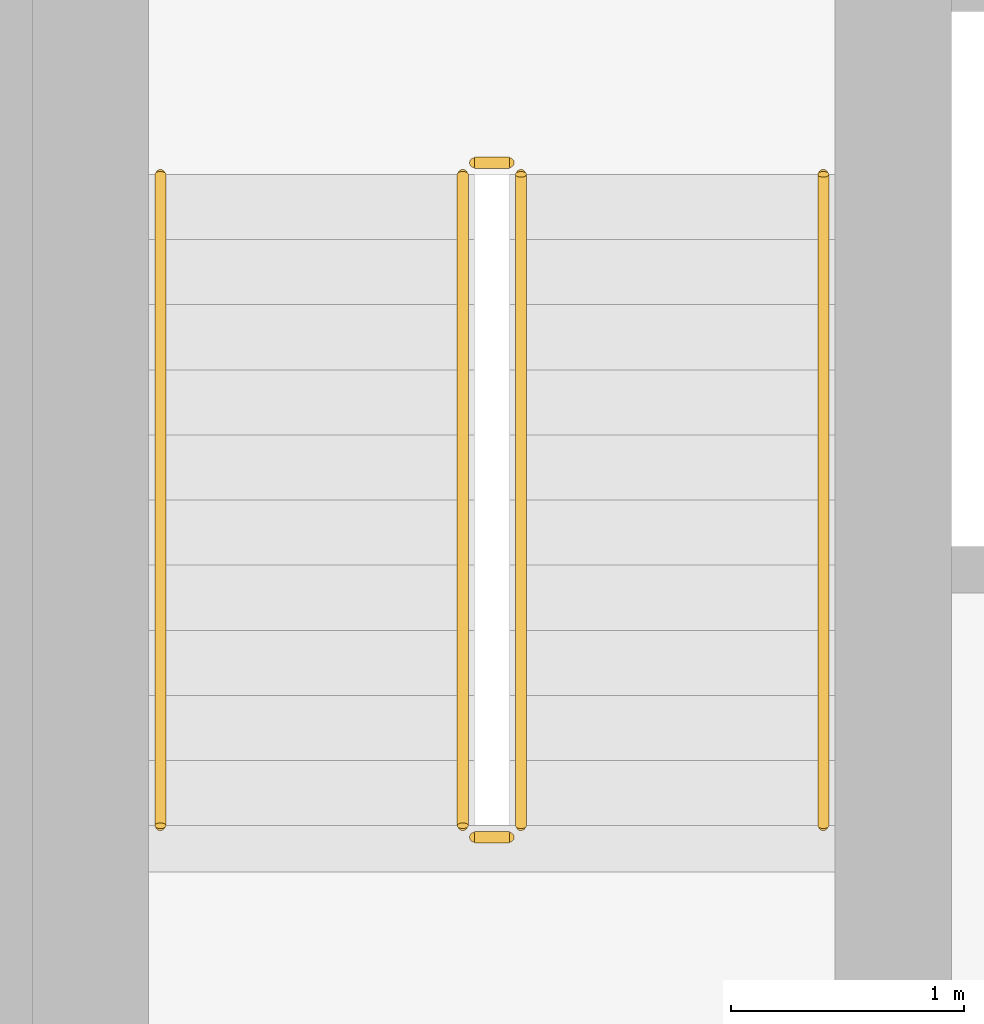
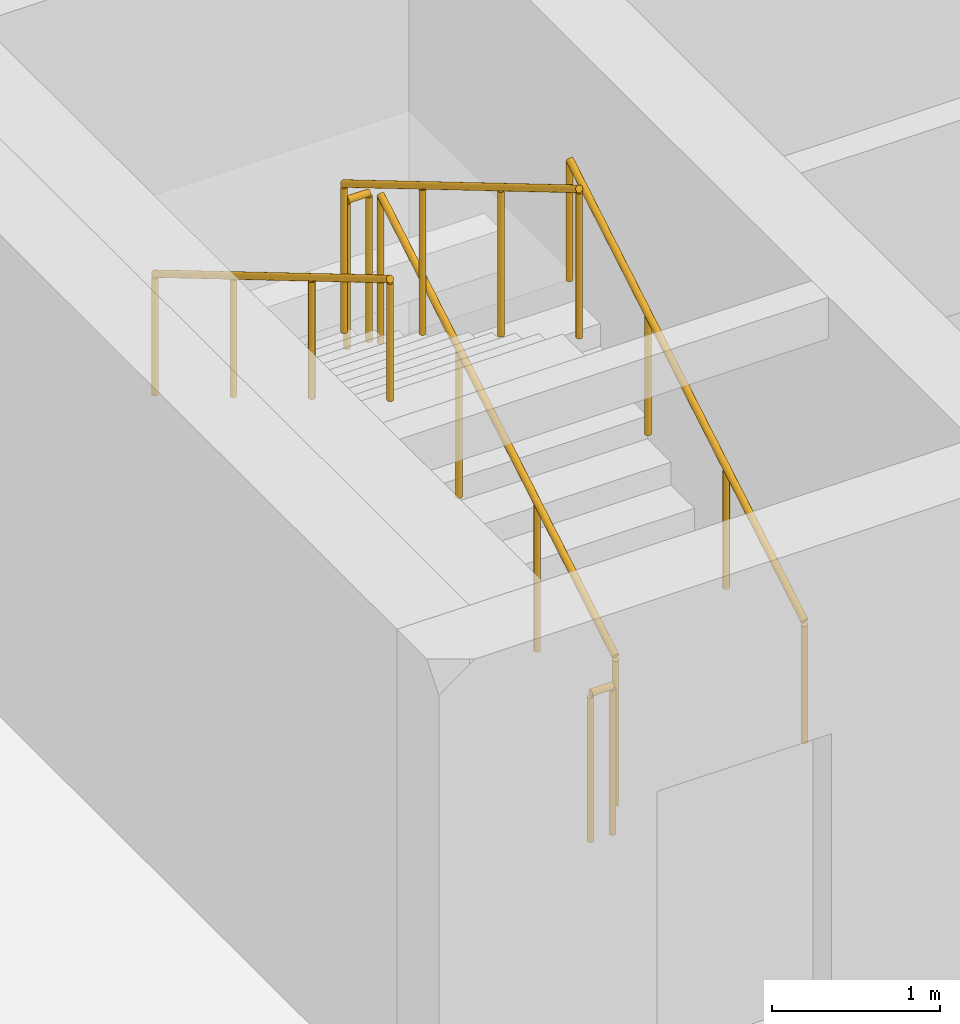
# One storey, part 12 of 15: 6 railings.
"""IFC4 building model written with IfcOpenShell, lengths in metres."""

from ifc_helpers import new_model, si_unit, direction, frame, origin, origin_2d, place, context, subcontext, project, spatial, circle, extrude, material, type_object, element, save


model = new_model("IFC4")

# Units and contexts
model_context = context("Model", 3, precision=1e-05, world=origin(), true_north=direction((0.0, 1.0)))
body_context = subcontext(model_context, "Body", "Model", "MODEL_VIEW")
ifc_project = project(units=[si_unit("LENGTHUNIT", "METRE"), si_unit("AREAUNIT", "SQUARE_METRE"), si_unit("VOLUMEUNIT", "CUBIC_METRE"), si_unit("PLANEANGLEUNIT", "RADIAN"), si_unit("MASSUNIT", "GRAM", prefix="KILO")], contexts=[model_context])

# Site, building, storey
site_placement = place(None, origin())
site = spatial("IfcSite", under=ifc_project, at=site_placement, CompositionType="ELEMENT")
building_placement = place(site_placement, origin())
building = spatial("IfcBuilding", under=site, at=building_placement, Name="Isthmus Gate Tower", CompositionType="ELEMENT")
storey_placement = place(building_placement, frame((0.0, 0.0, 293.800048828125)))
storey = spatial("IfcBuildingStorey", under=building, at=storey_placement, Name="L75", CompositionType="ELEMENT", Elevation=293.800048828125)

# Railings
ifc_material_1 = material(Name="Stainless steel balustrade", Category="steel")
railing_type_1 = type_object("IfcRailingType", Name="STAIR GUARD 1100", PredefinedType="GUARDRAIL", material=ifc_material_1)
railing_1_placement = place(storey_placement, frame((-12.39990234375, 2.39990234375, 0.165771484375)))
element("IfcRailing", 1, at=railing_1_placement, inside=storey, type_object=railing_type_1, Name="L75 ST7 stair guard 1", PredefinedType="GUARDRAIL", context=body_context, shape_type="SweptSolid", body=[
    extrude(circle(Radius=0.02392578125, at=origin_2d()), frame((0.0, 0.0, 1.076171875), z_axis=(0.0, 0.860306154799, 0.50977771628), x_axis=(-1.0, 0.0, 0.0)), (0.0, 0.0, 1.0), 3.254638671875),
    extrude(circle(Radius=0.02099609375, at=origin_2d()), origin(), (0.0, 0.0, 1.0), 1.052001953125),
    extrude(circle(Radius=0.02099609375, at=origin_2d()), frame((0.0, 0.933349609375, 0.552978515625)), (0.0, 0.0, 1.0), 1.052001953125),
    extrude(circle(Radius=0.02099609375, at=origin_2d()), frame((0.0, 1.86669921875, 1.106201171875)), (0.0, 0.0, 1.0), 1.052001953125),
    extrude(circle(Radius=0.02099609375, at=origin_2d()), frame((0.0, 2.800048828125, 1.6591796875)), (0.0, 0.0, 1.0), 1.052001953125),
])
railing_2_placement = place(storey_placement, frame((-12.449951171875, 5.25, 1.824951171875)))
element("IfcRailing", 2, at=railing_2_placement, inside=storey, type_object=railing_type_1, Name="L75 ST7 stair guard 2", PredefinedType="GUARDRAIL", context=body_context, shape_type="SweptSolid", body=[
    extrude(circle(Radius=0.02392578125, at=origin_2d()), frame((0.0, 0.0, 1.076171875), z_axis=(-1.0, 0.0, 0.0), x_axis=(0.0, -1.0, 0.0)), (0.0, 0.0, 1.0), 0.150146484375),
    extrude(circle(Radius=0.02099609375, at=origin_2d()), origin(), (0.0, 0.0, 1.0), 1.052001953125),
    extrude(circle(Radius=0.02099609375, at=origin_2d()), frame((-0.150146484375, 0.0, 0.0)), (0.0, 0.0, 1.0), 1.052001953125),
])
railing_3_placement = place(storey_placement, frame((-12.64990234375, 5.199951171875, 1.990966796875)))
element("IfcRailing", 3, at=railing_3_placement, inside=storey, type_object=railing_type_1, Name="L75 ST7 stair guard 3", PredefinedType="GUARDRAIL", context=body_context, shape_type="SweptSolid", body=[
    extrude(circle(Radius=0.02392578125, at=origin_2d()), frame((0.0, 0.0, 1.076171875), z_axis=(0.0, -0.860339051648, 0.50972219513), x_axis=(1.0, 0.0, 0.0)), (0.0, 0.0, 1.0), 3.254638671875),
    extrude(circle(Radius=0.02099609375, at=origin_2d()), origin(), (0.0, 0.0, 1.0), 1.052001953125),
    extrude(circle(Radius=0.02099609375, at=origin_2d()), frame((0.0, -0.933349609375, 0.552978515625)), (0.0, 0.0, 1.0), 1.052001953125),
    extrude(circle(Radius=0.02099609375, at=origin_2d()), frame((0.0, -1.86669921875, 1.10595703125)), (0.0, 0.0, 1.0), 1.052001953125),
    extrude(circle(Radius=0.02099609375, at=origin_2d()), frame((0.0, -2.800048828125, 1.658935546875)), (0.0, 0.0, 1.0), 1.052001953125),
])
railing_4_placement = place(storey_placement, frame((-12.449951171875, 2.35009765625, 0.0)))
element("IfcRailing", 4, at=railing_4_placement, inside=storey, type_object=railing_type_1, Name="L75 ST7 stair guard 4", PredefinedType="GUARDRAIL", context=body_context, shape_type="SweptSolid", body=[
    extrude(circle(Radius=0.02392578125, at=origin_2d()), frame((0.0, 0.0, 1.076171875), z_axis=(-1.0, 0.0, 0.0), x_axis=(0.0, -1.0, 0.0)), (0.0, 0.0, 1.0), 0.150146484375),
    extrude(circle(Radius=0.02099609375, at=origin_2d()), origin(), (0.0, 0.0, 1.0), 1.052001953125),
    extrude(circle(Radius=0.02099609375, at=origin_2d()), frame((-0.150146484375, 0.0, 0.0)), (0.0, 0.0, 1.0), 1.052001953125),
])
ifc_material_2 = material(Name="Stainless steel handrail", Category="steel")
railing_type_2 = type_object("IfcRailingType", Name="STAIR HANDRAIL 900", PredefinedType="HANDRAIL", material=ifc_material_2)
railing_5_placement = place(storey_placement, frame((-11.10009765625, 2.39990234375, 0.165771484375)))
element("IfcRailing", 5, at=railing_5_placement, inside=storey, type_object=railing_type_2, Name="L75 ST7 stair handrail 1", PredefinedType="HANDRAIL", context=body_context, shape_type="SweptSolid", body=[
    extrude(circle(Radius=0.02392578125, at=origin_2d()), frame((0.0, 0.0, 0.8759765625), z_axis=(0.0, 0.860306154799, 0.50977771628), x_axis=(-1.0, 0.0, 0.0)), (0.0, 0.0, 1.0), 3.254638671875),
    extrude(circle(Radius=0.02099609375, at=origin_2d()), origin(), (0.0, 0.0, 1.0), 0.851806640625),
    extrude(circle(Radius=0.02099609375, at=origin_2d()), frame((0.0, 0.933349609375, 0.552978515625)), (0.0, 0.0, 1.0), 0.851806640625),
    extrude(circle(Radius=0.02099609375, at=origin_2d()), frame((0.0, 1.86669921875, 1.106201171875)), (0.0, 0.0, 1.0), 0.851806640625),
    extrude(circle(Radius=0.02099609375, at=origin_2d()), frame((0.0, 2.800048828125, 1.6591796875)), (0.0, 0.0, 1.0), 0.851806640625),
])
railing_6_placement = place(storey_placement, frame((-13.949951171875, 5.199951171875, 1.990966796875)))
element("IfcRailing", 6, at=railing_6_placement, inside=storey, type_object=railing_type_2, Name="L75 ST7 stair handrail 2", PredefinedType="HANDRAIL", context=body_context, shape_type="SweptSolid", body=[
    extrude(circle(Radius=0.02392578125, at=origin_2d()), frame((0.0, 0.0, 0.8759765625), z_axis=(0.0, -0.860339051648, 0.50972219513), x_axis=(1.0, 0.0, 0.0)), (0.0, 0.0, 1.0), 3.254638671875),
    extrude(circle(Radius=0.02099609375, at=origin_2d()), origin(), (0.0, 0.0, 1.0), 0.851806640625),
    extrude(circle(Radius=0.02099609375, at=origin_2d()), frame((0.0, -0.933349609375, 0.552978515625)), (0.0, 0.0, 1.0), 0.851806640625),
    extrude(circle(Radius=0.02099609375, at=origin_2d()), frame((0.0, -1.86669921875, 1.10595703125)), (0.0, 0.0, 1.0), 0.851806640625),
    extrude(circle(Radius=0.02099609375, at=origin_2d()), frame((0.0, -2.800048828125, 1.658935546875)), (0.0, 0.0, 1.0), 0.851806640625),
])

save(model, "model.ifc")
